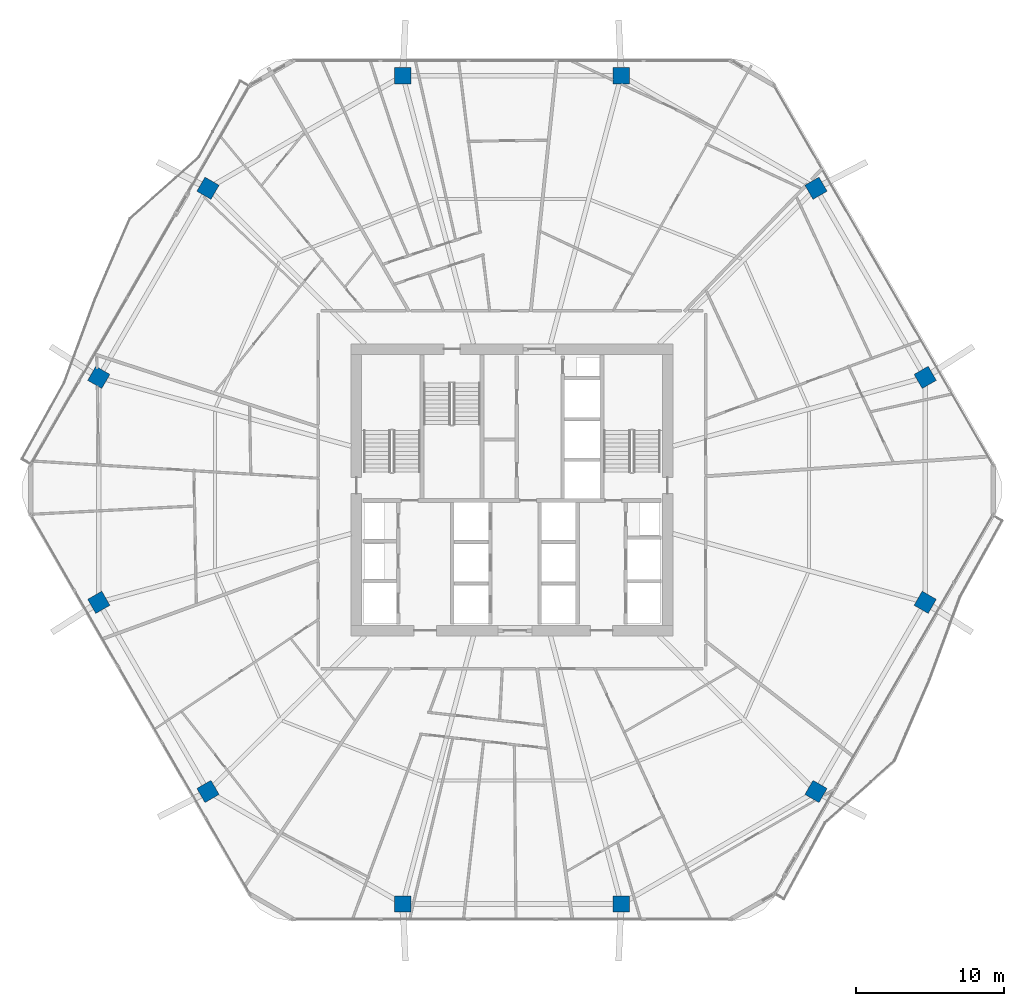
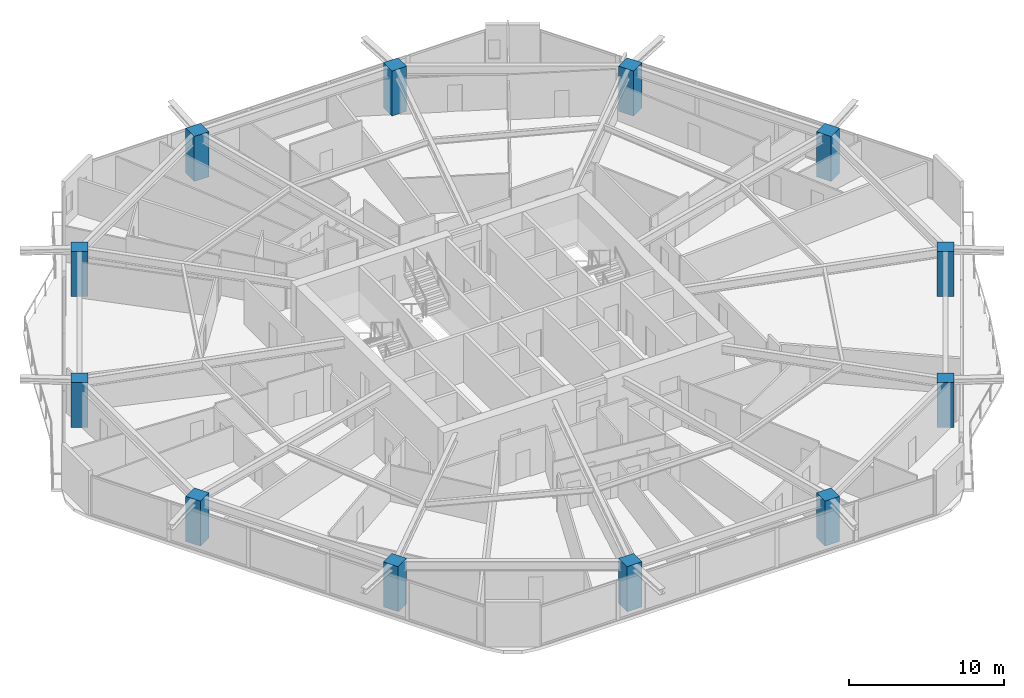
# One storey, part 1 of 33: 12 columns.
"""IFC4 building model written with IfcOpenShell, lengths in metres."""

from ifc_helpers import new_model, si_unit, direction, frame, origin, origin_2d, place, context, subcontext, project, spatial, rectangle, extrude, material, material_profile, profile_set, type_object, element, save


model = new_model("IFC4")

# Units and contexts
model_context = context("Model", 3, precision=1e-05, world=origin(), true_north=direction((0.0, 1.0)))
body_context = subcontext(model_context, "Body", "Model", "MODEL_VIEW")
ifc_project = project(units=[si_unit("LENGTHUNIT", "METRE"), si_unit("AREAUNIT", "SQUARE_METRE"), si_unit("VOLUMEUNIT", "CUBIC_METRE"), si_unit("PLANEANGLEUNIT", "RADIAN"), si_unit("MASSUNIT", "GRAM", prefix="KILO")], contexts=[model_context])

# Site, building, storey
site_placement = place(None, origin())
site = spatial("IfcSite", under=ifc_project, at=site_placement, CompositionType="ELEMENT")
building_placement = place(site_placement, origin())
building = spatial("IfcBuilding", under=site, at=building_placement, Name="Zuhravey Tower", CompositionType="ELEMENT")
storey_placement = place(building_placement, frame((0.0, 0.0, 96.199951171875)))
storey = spatial("IfcBuildingStorey", under=building, at=storey_placement, Name="L23", CompositionType="ELEMENT", Elevation=96.199951171875)

# Columns
ifc_material = material(Name="Concrete C60/75", Category="concrete")
ifc_material_profile = material_profile(ifc_material, rectangle(XDim=1.10009765625, YDim=1.10009765625, at=origin_2d()), Name="RC-1100x1100")
ifc_profile_set = profile_set([ifc_material_profile], Name="Concrete C60/75")
column_type = type_object("IfcColumnType", Name="Zone 1 Upper Column 1100x1100", PredefinedType="COLUMN", material=ifc_profile_set)
for number, where, z_axis, x_axis, name in (
    (1, (63.88916015625, 39.591552734375, 0.0), (0.0, 0.0, 1.0), (-0.5, 0.866025403784, 0.0), "L23 Perimeter Column PC01"),
    (2, (56.51904296875, 52.35693359375, 0.0), (0.0, 0.0, 1.0), (-0.5, 0.866025403784, 0.0), "L23 Perimeter Column PC02"),
    (3, (43.3701171875, 59.948486328125, 0.0), (0.0, 0.0, 1.0), (-1.0, 0.0, 0.0), "L23 Perimeter Column PC03"),
    (4, (28.6298828125, 59.948486328125, 0.0), (0.0, 0.0, 1.0), (-1.0, 0.0, 0.0), "L23 Perimeter Column PC04"),
    (5, (15.48095703125, 52.35693359375, 0.0), (0.0, 0.0, 1.0), (-0.5, -0.866025403784, 0.0), "L23 Perimeter Column PC05"),
    (6, (8.11083984375, 39.591552734375, 0.0), (0.0, 0.0, 1.0), (-0.5, -0.866025403784, 0.0), "L23 Perimeter Column PC06"),
    (7, (8.11083984375, 24.408447265625, 0.0), (0.0, 0.0, 1.0), (0.5, -0.866025403784, 0.0), "L23 Perimeter Column PC07"),
    (8, (15.48095703125, 11.64306640625, 0.0), (0.0, 0.0, 1.0), (0.5, -0.866025403784, 0.0), "L23 Perimeter Column PC08"),
    (9, (28.6298828125, 4.051513671875, 0.0), (0.0, 0.0, 1.0), (1.0, 0.0, 0.0), "L23 Perimeter Column PC09"),
    (10, (43.3701171875, 4.051513671875, 0.0), (0.0, 0.0, 1.0), (1.0, 0.0, 0.0), "L23 Perimeter Column PC10"),
    (11, (56.51904296875, 11.64306640625, 0.0), (0.0, 0.0, 1.0), (0.5, 0.866025403784, 0.0), "L23 Perimeter Column PC11"),
    (12, (63.88916015625, 24.408447265625, 0.0), (0.0, 0.0, 1.0), (0.5, 0.866025403784, 0.0), "L23 Perimeter Column PC12"),
):
    element("IfcColumn", number, at=place(storey_placement, frame(where, z_axis=z_axis, x_axis=x_axis)), inside=storey, type_object=column_type, Name=name, PredefinedType="COLUMN", context=body_context, shape_type="SweptSolid", body=[
        extrude(rectangle(XDim=1.10009765625, YDim=1.10009765625, at=origin_2d()), origin(), (0.0, 0.0, 1.0), 3.550048828125),
    ])

save(model, "model.ifc")
